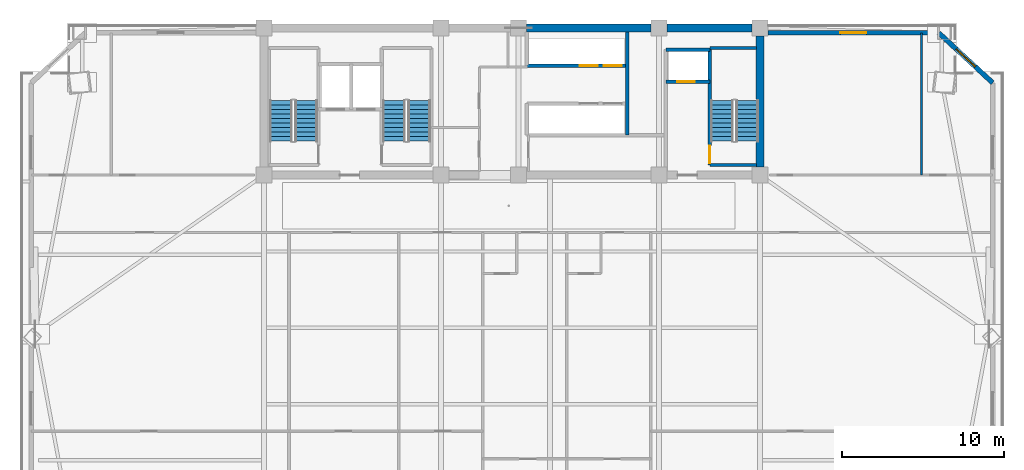
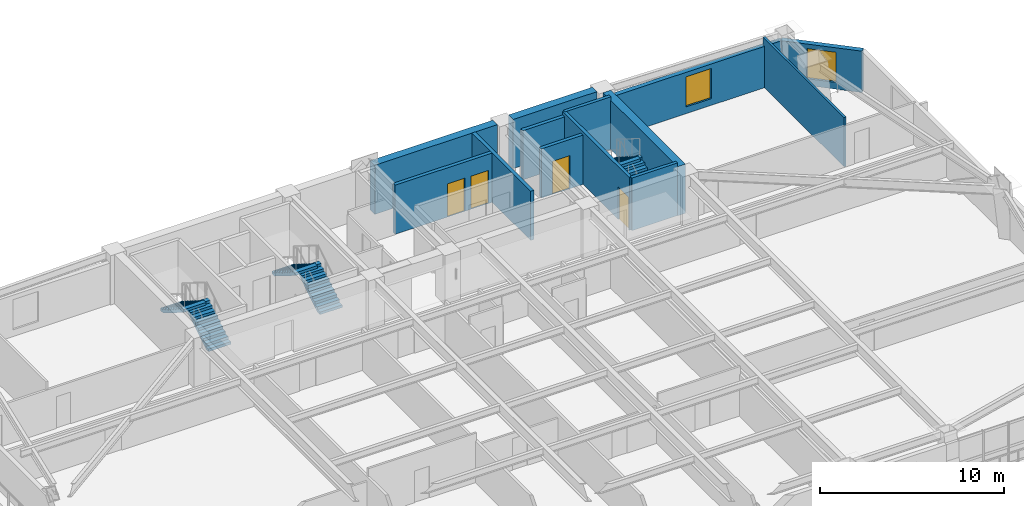
# One storey, part 10 of 15: 13 walls, 6 stair flights, 4 doors, 2 windows, 6 openings, 3 elements without a shape of their own.
"""IFC4 building model written with IfcOpenShell, lengths in metres."""

from ifc_helpers import new_model, si_unit, direction, frame, frame_2d, origin, place, context, subcontext, project, spatial, polyline, rectangle, outline, extrude, source, transform, mapped, material, layer, layer_set, type_object, element, fill, aggregate, save


model = new_model("IFC4")

# Units and contexts
model_context = context("Model", 3, precision=1e-05, world=origin(), true_north=direction((0.0, 1.0)))
body_context = subcontext(model_context, "Body", "Model", "MODEL_VIEW")
ifc_project = project(units=[si_unit("LENGTHUNIT", "METRE"), si_unit("AREAUNIT", "SQUARE_METRE"), si_unit("VOLUMEUNIT", "CUBIC_METRE"), si_unit("PLANEANGLEUNIT", "RADIAN"), si_unit("MASSUNIT", "GRAM", prefix="KILO")], contexts=[model_context])

# Site, building, storey
site_placement = place(None, origin())
site = spatial("IfcSite", under=ifc_project, at=site_placement, CompositionType="ELEMENT")
building_placement = place(site_placement, origin())
building = spatial("IfcBuilding", under=site, at=building_placement, Name="Giltprow Tower", CompositionType="ELEMENT")
storey_placement = place(building_placement, frame((0.0, 0.0, 156.199951171875)))
storey = spatial("IfcBuildingStorey", under=building, at=storey_placement, Name="L38", CompositionType="ELEMENT", Elevation=156.199951171875)

# Wall, opening, window
ifc_material_1 = material(Name="Precast concrete C40", Category="concrete")
ifc_layer_1 = layer(ifc_material_1, 0.300048828125, Name="Precast concrete C40")
ifc_layer_set_1 = layer_set([ifc_layer_1], Name="Precast concrete C40")
wall_type_1 = type_object("IfcWallType", Name="EW-NOTCH-CHAMFER-300", PredefinedType="SOLIDWALL", material=ifc_layer_set_1)
wall_1_placement = place(storey_placement, frame((64.950927734375, 43.160888671875, 0.0), z_axis=(0.0, 0.0, 1.0), x_axis=(-0.734027196995, 0.679120073383, 0.0)))
wall_1 = element("IfcWall", 1, at=wall_1_placement, inside=storey, type_object=wall_type_1, Name="L38 Corner Notch Wall NE", PredefinedType="SOLIDWALL", context=body_context, shape_type="SweptSolid", body=[
    extrude(rectangle(XDim=4.548583984375, YDim=0.300048828125, at=frame_2d((2.2744140625, 0.0))), origin(), (0.0, 0.0, 1.0), 2.75),
])
opening_1_placement = place(wall_1_placement, frame((1.47412109375, 0.0, 0.449951171875)))
opening_1 = element("IfcOpeningElement", 2, at=opening_1_placement, cuts=wall_1, Name="Opening WN17", PredefinedType="OPENING", context=body_context, shape_type="SweptSolid", body=[
    extrude(rectangle(XDim=1.60009765625, YDim=2.0, at=frame_2d((0.800048828125, 1.0))), frame((0.0, 0.159912109375, 0.0), z_axis=(0.0, -1.0, 0.0), x_axis=(1.0, 0.0, 0.0)), (0.0, 0.0, 1.0), 0.320068359375),
])
ifc_material_2 = material(Name="Insulated glass", Category="glass")
window_type = type_object("IfcWindowType", Name="WN-COR-1600x2000", PartitioningType="SINGLE_PANEL", PredefinedType="WINDOW", material=ifc_material_2)
shared_shape_1 = source(origin(), body_context, "Body", "SweptSolid", [
    extrude(rectangle(XDim=1.60009765625, YDim=2.0, at=frame_2d((0.800048828125, 1.0))), frame((0.0, 0.030029296875, 0.0), z_axis=(0.0, -1.0, 0.0), x_axis=(1.0, 0.0, 0.0)), (0.0, 0.0, 1.0), 0.06005859375),
])
window_1_placement = place(opening_1_placement, origin())
window_1 = element("IfcWindow", 3, at=window_1_placement, inside=storey, type_object=window_type, Name="L38 Corner Notch Window NE", OverallHeight=2.0, OverallWidth=1.60009765625, PartitioningType="SINGLE_PANEL", PredefinedType="WINDOW", context=body_context, shape_type="MappedRepresentation", body=[
    mapped(shared_shape_1, transform((0.0, 0.0, 0.0), x_axis=(1.0, 0.0, 0.0), y_axis=(0.0, 1.0, 0.0), z_axis=(0.0, 0.0, 1.0), scale=1.0)),
])
fill(opening_1, window_1)

ifc_layer_2 = layer(ifc_material_1, 0.280029296875, Name="Precast concrete C40")
ifc_layer_set_2 = layer_set([ifc_layer_2], Name="Precast concrete C40")
wall_type_2 = type_object("IfcWallType", Name="EW-TOW-BRONZE-280", PredefinedType="SOLIDWALL", material=ifc_layer_set_2)
wall_2_placement = place(storey_placement, frame((51.050048828125, 46.25, 0.0), z_axis=(0.0, 0.0, 1.0), x_axis=(1.0, 0.0, 0.0)))
wall_2 = element("IfcWall", 4, at=wall_2_placement, inside=storey, type_object=wall_type_2, Name="L38 North-East Wing Wall", PredefinedType="SOLIDWALL", context=body_context, shape_type="SweptSolid", body=[
    extrude(rectangle(XDim=10.56201171875, YDim=0.280029296875, at=frame_2d((5.281005859375, 0.0))), origin(), (0.0, 0.0, 1.0), 2.75),
])
opening_2_placement = place(wall_2_placement, frame((4.48095703125, 0.0, 0.449951171875)))
opening_2 = element("IfcOpeningElement", 5, at=opening_2_placement, cuts=wall_2, Name="Opening WN17", PredefinedType="OPENING", context=body_context, shape_type="SweptSolid", body=[
    extrude(rectangle(XDim=1.60009765625, YDim=2.0, at=frame_2d((0.800048828125, 1.0))), frame((0.0, 0.14990234375, 0.0), z_axis=(0.0, -1.0, 0.0), x_axis=(1.0, 0.0, 0.0)), (0.0, 0.0, 1.0), 0.300048828125),
])
window_2_placement = place(opening_2_placement, origin())
window_2 = element("IfcWindow", 6, at=window_2_placement, inside=storey, type_object=window_type, Name="L38 North-East Window", OverallHeight=2.0, OverallWidth=1.60009765625, PartitioningType="SINGLE_PANEL", PredefinedType="WINDOW", context=body_context, shape_type="MappedRepresentation", body=[
    mapped(shared_shape_1, transform((0.0, 0.0, 0.0), x_axis=(1.0, 0.0, 0.0), y_axis=(0.0, 1.0, 0.0), z_axis=(0.0, 0.0, 1.0), scale=1.0)),
])
fill(opening_2, window_2)

# Wall, opening, door
ifc_material_3 = material(Name="Concrete C40", Category="concrete")
ifc_layer_3 = layer(ifc_material_3, 0.219970703125, Name="Concrete C40")
ifc_layer_set_3 = layer_set([ifc_layer_3], Name="Concrete C40")
wall_type_3 = type_object("IfcWallType", Name="IW-SHAFT-220", PredefinedType="SOLIDWALL", material=ifc_layer_set_3)
wall_3_placement = place(storey_placement, frame((44.719970703125, 43.219970703125, 0.0), z_axis=(0.0, 0.0, 1.0), x_axis=(1.0, 0.0, 0.0)))
wall_3 = element("IfcWall", 7, at=wall_3_placement, inside=storey, type_object=wall_type_3, Name="L38 FFL2 Front Shaft Wall", PredefinedType="SOLIDWALL", context=body_context, shape_type="SweptSolid", body=[
    extrude(rectangle(XDim=2.719970703125, YDim=0.219970703125, at=frame_2d((1.35986328125, 0.0))), origin(), (0.0, 0.0, 1.0), 3.27001953125),
])
opening_3_placement = place(wall_3_placement, frame((0.699951171875, 0.0, 0.0)))
opening_3 = element("IfcOpeningElement", 8, at=opening_3_placement, cuts=wall_3, Name="Opening LD-11", PredefinedType="OPENING", context=body_context, shape_type="SweptSolid", body=[
    extrude(rectangle(XDim=1.10009765625, YDim=2.199951171875, at=frame_2d((0.550048828125, 1.10009765625))), frame((0.0, 0.119873046875, 0.0), z_axis=(0.0, -1.0, 0.0), x_axis=(1.0, 0.0, 0.0)), (0.0, 0.0, 1.0), 0.239990234375),
])
ifc_material_4 = material(Name="Stainless steel", Category="steel")
door_type_1 = type_object("IfcDoorType", Name="DR-LIFT-LD1100", OperationType="SLIDING_TO_LEFT", PredefinedType="DOOR", material=ifc_material_4)
shared_shape_2 = source(origin(), body_context, "Body", "SweptSolid", [
    extrude(rectangle(XDim=1.10009765625, YDim=2.199951171875, at=frame_2d((0.550048828125, 1.10009765625))), frame((0.0, 0.02490234375, 0.0), z_axis=(0.0, -1.0, 0.0), x_axis=(1.0, 0.0, 0.0)), (0.0, 0.0, 1.0), 0.050048828125),
])
door_1_placement = place(opening_3_placement, origin())
door_1 = element("IfcDoor", 9, at=door_1_placement, inside=storey, type_object=door_type_1, Name="L38 FFL2 Landing Door", OperationType="SLIDING_TO_LEFT", OverallHeight=2.199951171875, OverallWidth=1.10009765625, PredefinedType="DOOR", context=body_context, shape_type="MappedRepresentation", body=[
    mapped(shared_shape_2, transform((0.0, 0.0, 0.0), x_axis=(1.0, 0.0, 0.0), y_axis=(0.0, 1.0, 0.0), z_axis=(0.0, 0.0, 1.0), scale=1.0)),
])
fill(opening_3, door_1)

# Wall
wall_4_placement = place(storey_placement, frame((44.719970703125, 45.219970703125, 0.0), z_axis=(0.0, 0.0, 1.0), x_axis=(1.0, 0.0, 0.0)))
element("IfcWall", 10, at=wall_4_placement, inside=storey, type_object=wall_type_3, Name="L38 FFL2 Back Shaft Wall", PredefinedType="SOLIDWALL", context=body_context, shape_type="SweptSolid", body=[
    extrude(rectangle(XDim=2.719970703125, YDim=0.219970703125, at=frame_2d((1.35986328125, 0.0))), origin(), (0.0, 0.0, 1.0), 3.27001953125),
])

# Wall, openings, doors
wall_5_placement = place(storey_placement, frame((36.1201171875, 44.219970703125, 0.0), z_axis=(0.0, 0.0, 1.0), x_axis=(1.0, 0.0, 0.0)))
wall_5 = element("IfcWall", 11, at=wall_5_placement, inside=storey, type_object=wall_type_3, Name="L38 Mid-Rise Lift Shaft Front Wall N", PredefinedType="SOLIDWALL", context=body_context, shape_type="SweptSolid", body=[
    extrude(rectangle(XDim=6.199951171875, YDim=0.219970703125, at=frame_2d((3.10009765625, 0.0))), origin(), (0.0, 0.0, 1.0), 3.27001953125),
])
opening_4_placement = place(wall_5_placement, frame((3.280029296875, 0.0, 0.0)))
opening_4 = element("IfcOpeningElement", 12, at=opening_4_placement, cuts=wall_5, Name="Opening LD-11", PredefinedType="OPENING", context=body_context, shape_type="SweptSolid", body=[
    extrude(rectangle(XDim=1.10009765625, YDim=2.199951171875, at=frame_2d((0.550048828125, 1.10009765625))), frame((0.0, 0.119873046875, 0.0), z_axis=(0.0, -1.0, 0.0), x_axis=(1.0, 0.0, 0.0)), (0.0, 0.0, 1.0), 0.239990234375),
])
opening_5_placement = place(wall_5_placement, frame((4.77001953125, 0.0, 0.0)))
opening_5 = element("IfcOpeningElement", 13, at=opening_5_placement, cuts=wall_5, Name="Opening LD-11", PredefinedType="OPENING", context=body_context, shape_type="SweptSolid", body=[
    extrude(rectangle(XDim=1.10009765625, YDim=2.199951171875, at=frame_2d((0.550048828125, 1.10009765625))), frame((0.0, 0.119873046875, 0.0), z_axis=(0.0, -1.0, 0.0), x_axis=(1.0, 0.0, 0.0)), (0.0, 0.0, 1.0), 0.239990234375),
])
door_2_placement = place(opening_4_placement, origin())
door_2 = element("IfcDoor", 14, at=door_2_placement, inside=storey, type_object=door_type_1, Name="L38 PL-M1 Landing Door", OperationType="SLIDING_TO_LEFT", OverallHeight=2.199951171875, OverallWidth=1.10009765625, PredefinedType="DOOR", context=body_context, shape_type="MappedRepresentation", body=[
    mapped(shared_shape_2, transform((0.0, 0.0, 0.0), x_axis=(1.0, 0.0, 0.0), y_axis=(0.0, 1.0, 0.0), z_axis=(0.0, 0.0, 1.0), scale=1.0)),
])
fill(opening_4, door_2)
door_3_placement = place(opening_5_placement, origin())
door_3 = element("IfcDoor", 15, at=door_3_placement, inside=storey, type_object=door_type_1, Name="L38 PL-M2 Landing Door", OperationType="SLIDING_TO_LEFT", OverallHeight=2.199951171875, OverallWidth=1.10009765625, PredefinedType="DOOR", context=body_context, shape_type="MappedRepresentation", body=[
    mapped(shared_shape_2, transform((0.0, 0.0, 0.0), x_axis=(1.0, 0.0, 0.0), y_axis=(0.0, 1.0, 0.0), z_axis=(0.0, 0.0, 1.0), scale=1.0)),
])
fill(opening_5, door_3)

# Wall
wall_6_placement = place(storey_placement, frame((42.320068359375, 39.919921875, 0.0), z_axis=(0.0, 0.0, 1.0), x_axis=(0.0, 1.0, 0.0)))
element("IfcWall", 16, at=wall_6_placement, inside=storey, type_object=wall_type_3, Name="L38 Mid-Rise Lift Bank East Closure", PredefinedType="SOLIDWALL", context=body_context, shape_type="SweptSolid", body=[
    extrude(rectangle(XDim=6.400146484375, YDim=0.219970703125, at=frame_2d((3.2001953125, 0.0))), origin(), (0.0, 0.0, 1.0), 3.27001953125),
])

# Wall, opening, door
ifc_layer_4 = layer(ifc_material_3, 0.199951171875, Name="Concrete C40")
ifc_layer_set_4 = layer_set([ifc_layer_4], Name="Concrete C40")
wall_type_4 = type_object("IfcWallType", Name="IW-STAIR-200", PredefinedType="SOLIDWALL", material=ifc_layer_set_4)
wall_7_placement = place(storey_placement, frame((47.43994140625, 38.070068359375, 0.0), z_axis=(0.0, 0.0, 1.0), x_axis=(0.0, 1.0, 0.0)))
wall_7 = element("IfcWall", 17, at=wall_7_placement, inside=storey, type_object=wall_type_4, Name="L38 Stair ST-3 West Bearing Wall", PredefinedType="SOLIDWALL", context=body_context, shape_type="SweptSolid", body=[
    extrude(rectangle(XDim=7.25, YDim=0.199951171875, at=frame_2d((3.625, 0.0))), origin(), (0.0, 0.0, 1.0), 3.5),
])
opening_6_placement = place(wall_7_placement, frame((0.110107421875, 0.0, 0.0)))
opening_6 = element("IfcOpeningElement", 18, at=opening_6_placement, cuts=wall_7, Name="Opening ID33", PredefinedType="OPENING", context=body_context, shape_type="SweptSolid", body=[
    extrude(rectangle(XDim=1.10009765625, YDim=2.14990234375, at=frame_2d((0.550048828125, 1.074951171875))), frame((0.0, 0.10986328125, 0.0), z_axis=(0.0, -1.0, 0.0), x_axis=(1.0, 0.0, 0.0)), (0.0, 0.0, 1.0), 0.219970703125),
])
ifc_material_5 = material(Name="Steel fire leaf", Category="steel")
door_type_2 = type_object("IfcDoorType", Name="DR-STAIR-1100", OperationType="SINGLE_SWING_LEFT", PredefinedType="DOOR", material=ifc_material_5)
shared_shape_3 = source(origin(), body_context, "Body", "SweptSolid", [
    extrude(rectangle(XDim=1.10009765625, YDim=2.14990234375, at=frame_2d((0.550048828125, 1.074951171875))), frame((0.0, 0.02490234375, 0.0), z_axis=(0.0, -1.0, 0.0), x_axis=(1.0, 0.0, 0.0)), (0.0, 0.0, 1.0), 0.050048828125),
])
door_4_placement = place(opening_6_placement, origin())
door_4 = element("IfcDoor", 19, at=door_4_placement, inside=storey, type_object=door_type_2, Name="L38 Stair ST-3 Fire Door", OperationType="SINGLE_SWING_RIGHT", OverallHeight=2.14990234375, OverallWidth=1.10009765625, PredefinedType="DOOR", context=body_context, shape_type="MappedRepresentation", body=[
    mapped(shared_shape_3, transform((0.0, 0.0, 0.0), x_axis=(1.0, 0.0, 0.0), y_axis=(0.0, 1.0, 0.0), z_axis=(0.0, 0.0, 1.0), scale=1.0)),
])
fill(opening_6, door_4)

# Walls
for number, where, z_axis, x_axis, name in (
    (20, (47.43994140625, 45.320068359375, 0.0), (0.0, 0.0, 1.0), (1.0, 0.0, 0.0), "L38 Stair ST-3 North Bearing Wall"),
    (21, (47.43994140625, 38.070068359375, 0.0), (0.0, 0.0, 1.0), (1.0, 0.0, 0.0), "L38 Stair ST-3 South Bearing Wall"),
):
    element("IfcWall", number, at=place(storey_placement, frame(where, z_axis=z_axis, x_axis=x_axis)), inside=storey, type_object=wall_type_4, Name=name, PredefinedType="SOLIDWALL", context=body_context, shape_type="SweptSolid", body=[
        extrude(rectangle(XDim=2.880126953125, YDim=0.199951171875, at=frame_2d((1.43994140625, 0.0))), origin(), (0.0, 0.0, 1.0), 3.5),
    ])
ifc_material_6 = material(Name="Concrete C30", Category="concrete")
ifc_layer_5 = layer(ifc_material_6, 0.1298828125, Name="Concrete C30")
ifc_layer_set_5 = layer_set([ifc_layer_5], Name="Concrete C30")
wall_type_5 = type_object("IfcWallType", Name="IW-WET-130", PredefinedType="PARTITIONING", material=ifc_layer_set_5)
wall_8_placement = place(storey_placement, frame((60.535888671875, 37.449951171875, 0.0), z_axis=(0.0, 0.0, 1.0), x_axis=(0.0, 1.0, 0.0)))
element("IfcWall", 22, at=wall_8_placement, inside=storey, type_object=wall_type_5, Name="L38 NE Wing Divider", PredefinedType="PARTITIONING", context=body_context, shape_type="SweptSolid", body=[
    extrude(rectangle(XDim=8.800048828125, YDim=0.1298828125, at=frame_2d((4.39990234375, 0.0))), origin(), (0.0, 0.0, 1.0), 3.27001953125),
])
ifc_material_7 = material(Name="Concrete C50", Category="concrete")
ifc_layer_6 = layer(ifc_material_7, 0.5, Name="Concrete C50")
ifc_layer_set_6 = layer_set([ifc_layer_6], Name="Concrete C50")
wall_type_6 = type_object("IfcWallType", Name="SW-EXT-500-C50", PredefinedType="SHEAR", material=ifc_layer_set_6)
wall_9_placement = place(storey_placement, frame((36.10009765625, 46.550048828125, 0.0), z_axis=(0.0, 0.0, 1.0), x_axis=(1.0, 0.0, 0.0)))
element("IfcWall", 23, at=wall_9_placement, inside=storey, type_object=wall_type_6, Name="L38 North Rear Core Shear Wall 3", PredefinedType="SHEAR", context=body_context, shape_type="SweptSolid", body=[
    extrude(rectangle(XDim=7.699951171875, YDim=0.5, at=frame_2d((3.85009765625, 0.0))), origin(), (0.0, 0.0, 1.0), 3.27001953125),
])
wall_10_placement = place(storey_placement, frame((44.800048828125, 46.550048828125, 0.0), z_axis=(0.0, 0.0, 1.0), x_axis=(1.0, 0.0, 0.0)))
element("IfcWall", 24, at=wall_10_placement, inside=storey, type_object=wall_type_6, Name="L38 North Rear Core Shear Wall 4", PredefinedType="SHEAR", context=body_context, shape_type="SweptSolid", body=[
    extrude(rectangle(XDim=5.25, YDim=0.5, at=frame_2d((2.625, 0.0))), origin(), (0.0, 0.0, 1.0), 3.27001953125),
])
ifc_layer_7 = layer(ifc_material_7, 0.5, Name="Concrete C50")
ifc_layer_set_7 = layer_set([ifc_layer_7], Name="Concrete C50")
wall_type_7 = type_object("IfcWallType", Name="SW-INT-500-C50", PredefinedType="SHEAR", material=ifc_layer_set_7)
wall_11_placement = place(storey_placement, frame((50.550048828125, 37.949951171875, 0.0), z_axis=(0.0, 0.0, 1.0), x_axis=(0.0, 1.0, 0.0)))
element("IfcWall", 25, at=wall_11_placement, inside=storey, type_object=wall_type_7, Name="L38 E Rear Core Shear Wall", PredefinedType="SHEAR", context=body_context, shape_type="SweptSolid", body=[
    extrude(rectangle(XDim=8.10009765625, YDim=0.5, at=frame_2d((4.050048828125, 0.0))), origin(), (0.0, 0.0, 1.0), 3.27001953125),
])

# Stair, stair flights
stair_type_1 = type_object("IfcStairType", Name="STR-ST-1", PredefinedType="HALF_TURN_STAIR", material=ifc_material_3)
stair_1_placement = place(storey_placement, origin())
stair_1 = element("IfcStair", 26, at=stair_1_placement, inside=storey, type_object=stair_type_1, Name="L38 Core Exit Stair ST-1", PredefinedType="HALF_TURN_STAIR")
stair_flight_type_1 = type_object("IfcStairFlightType", Name="SFL-ST-1", PredefinedType="STRAIGHT", material=ifc_material_3)
stair_flight_1_placement = place(storey_placement, frame((22.4599609375, 39.550048828125, 0.0), z_axis=(0.0, 0.0, 1.0), x_axis=(0.0, 1.0, 0.0)))
stair_flight_1 = element("IfcStairFlight", 27, at=stair_flight_1_placement, type_object=stair_flight_type_1, Name="ST-1 flight 1", NumberOfRisers=10, NumberOfTreads=9, PredefinedType="STRAIGHT", RiserHeight=0.175, TreadLength=0.28, context=body_context, shape_type="SweptSolid", body=[
    extrude(outline(polyline([(0.0, 0.0), (0.0, 0.175048828125), (0.280029296875, 0.175048828125), (0.280029296875, 0.35009765625), (0.56005859375, 0.35009765625), (0.56005859375, 0.52490234375), (0.840087890625, 0.52490234375), (0.840087890625, 0.699951171875), (1.1201171875, 0.699951171875), (1.1201171875, 0.875), (1.39990234375, 0.875), (1.39990234375, 1.050048828125), (1.679931640625, 1.050048828125), (1.679931640625, 1.22509765625), (1.9599609375, 1.22509765625), (1.9599609375, 1.39990234375), (2.239990234375, 1.39990234375), (2.239990234375, 1.574951171875), (2.52001953125, 1.574951171875), (2.52001953125, 1.75), (2.52001953125, 1.398193359375), (0.28271484375, 0.0), (0.0, 0.0)])), frame((0.0, 0.699951171875, 0.0), z_axis=(0.0, -1.0, 0.0), x_axis=(1.0, 0.0, 0.0)), (0.0, 0.0, 1.0), 1.39990234375),
])
stair_flight_2_placement = place(storey_placement, frame((20.89990234375, 42.070068359375, 1.75), z_axis=(0.0, 0.0, 1.0), x_axis=(0.0, -1.0, 0.0)))
stair_flight_2 = element("IfcStairFlight", 28, at=stair_flight_2_placement, type_object=stair_flight_type_1, Name="ST-1 flight 2", NumberOfRisers=10, NumberOfTreads=9, PredefinedType="STRAIGHT", RiserHeight=0.175, TreadLength=0.28, context=body_context, shape_type="SweptSolid", body=[
    extrude(outline(polyline([(0.0, 0.0), (0.0, 0.175048828125), (0.280029296875, 0.175048828125), (0.280029296875, 0.35009765625), (0.56005859375, 0.35009765625), (0.56005859375, 0.52490234375), (0.840087890625, 0.52490234375), (0.840087890625, 0.699951171875), (1.1201171875, 0.699951171875), (1.1201171875, 0.875), (1.39990234375, 0.875), (1.39990234375, 1.050048828125), (1.679931640625, 1.050048828125), (1.679931640625, 1.22509765625), (1.9599609375, 1.22509765625), (1.9599609375, 1.39990234375), (2.239990234375, 1.39990234375), (2.239990234375, 1.574951171875), (2.52001953125, 1.574951171875), (2.52001953125, 1.75), (2.52001953125, 1.398193359375), (0.28271484375, 0.0), (0.0, 0.0)])), frame((0.0, 0.699951171875, 0.0), z_axis=(0.0, -1.0, 0.0), x_axis=(1.0, 0.0, 0.0)), (0.0, 0.0, 1.0), 1.39990234375),
])
aggregate(stair_1, [stair_flight_1, stair_flight_2])

stair_type_2 = type_object("IfcStairType", Name="STR-ST-2", PredefinedType="HALF_TURN_STAIR", material=ifc_material_3)
stair_2_placement = place(storey_placement, origin())
stair_2 = element("IfcStair", 29, at=stair_2_placement, inside=storey, type_object=stair_type_2, Name="L38 Core Exit Stair ST-2", PredefinedType="HALF_TURN_STAIR")
stair_flight_type_2 = type_object("IfcStairFlightType", Name="SFL-ST-2", PredefinedType="STRAIGHT", material=ifc_material_3)
stair_flight_3_placement = place(storey_placement, frame((29.4599609375, 39.550048828125, 0.0), z_axis=(0.0, 0.0, 1.0), x_axis=(0.0, 1.0, 0.0)))
stair_flight_3 = element("IfcStairFlight", 30, at=stair_flight_3_placement, type_object=stair_flight_type_2, Name="ST-2 flight 1", NumberOfRisers=10, NumberOfTreads=9, PredefinedType="STRAIGHT", RiserHeight=0.175, TreadLength=0.28, context=body_context, shape_type="SweptSolid", body=[
    extrude(outline(polyline([(0.0, 0.0), (0.0, 0.175048828125), (0.280029296875, 0.175048828125), (0.280029296875, 0.35009765625), (0.56005859375, 0.35009765625), (0.56005859375, 0.52490234375), (0.840087890625, 0.52490234375), (0.840087890625, 0.699951171875), (1.1201171875, 0.699951171875), (1.1201171875, 0.875), (1.39990234375, 0.875), (1.39990234375, 1.050048828125), (1.679931640625, 1.050048828125), (1.679931640625, 1.22509765625), (1.9599609375, 1.22509765625), (1.9599609375, 1.39990234375), (2.239990234375, 1.39990234375), (2.239990234375, 1.574951171875), (2.52001953125, 1.574951171875), (2.52001953125, 1.75), (2.52001953125, 1.398193359375), (0.28271484375, 0.0), (0.0, 0.0)])), frame((0.0, 0.699951171875, 0.0), z_axis=(0.0, -1.0, 0.0), x_axis=(1.0, 0.0, 0.0)), (0.0, 0.0, 1.0), 1.39990234375),
])
stair_flight_4_placement = place(storey_placement, frame((27.89990234375, 42.070068359375, 1.75), z_axis=(0.0, 0.0, 1.0), x_axis=(0.0, -1.0, 0.0)))
stair_flight_4 = element("IfcStairFlight", 31, at=stair_flight_4_placement, type_object=stair_flight_type_2, Name="ST-2 flight 2", NumberOfRisers=10, NumberOfTreads=9, PredefinedType="STRAIGHT", RiserHeight=0.175, TreadLength=0.28, context=body_context, shape_type="SweptSolid", body=[
    extrude(outline(polyline([(0.0, 0.0), (0.0, 0.175048828125), (0.280029296875, 0.175048828125), (0.280029296875, 0.35009765625), (0.56005859375, 0.35009765625), (0.56005859375, 0.52490234375), (0.840087890625, 0.52490234375), (0.840087890625, 0.699951171875), (1.1201171875, 0.699951171875), (1.1201171875, 0.875), (1.39990234375, 0.875), (1.39990234375, 1.050048828125), (1.679931640625, 1.050048828125), (1.679931640625, 1.22509765625), (1.9599609375, 1.22509765625), (1.9599609375, 1.39990234375), (2.239990234375, 1.39990234375), (2.239990234375, 1.574951171875), (2.52001953125, 1.574951171875), (2.52001953125, 1.75), (2.52001953125, 1.398193359375), (0.28271484375, 0.0), (0.0, 0.0)])), frame((0.0, 0.699951171875, 0.0), z_axis=(0.0, -1.0, 0.0), x_axis=(1.0, 0.0, 0.0)), (0.0, 0.0, 1.0), 1.39990234375),
])
aggregate(stair_2, [stair_flight_3, stair_flight_4])

stair_type_3 = type_object("IfcStairType", Name="STR-ST-3", PredefinedType="HALF_TURN_STAIR", material=ifc_material_3)
stair_3_placement = place(storey_placement, origin())
stair_3 = element("IfcStair", 32, at=stair_3_placement, inside=storey, type_object=stair_type_3, Name="L38 Core Exit Stair ST-3", PredefinedType="HALF_TURN_STAIR")
stair_flight_type_3 = type_object("IfcStairFlightType", Name="SFL-ST-3", PredefinedType="STRAIGHT", material=ifc_material_3)
stair_flight_5_placement = place(storey_placement, frame((49.760009765625, 39.550048828125, 0.0), z_axis=(0.0, 0.0, 1.0), x_axis=(0.0, 1.0, 0.0)))
stair_flight_5 = element("IfcStairFlight", 33, at=stair_flight_5_placement, type_object=stair_flight_type_3, Name="ST-3 flight 1", NumberOfRisers=10, NumberOfTreads=9, PredefinedType="STRAIGHT", RiserHeight=0.175, TreadLength=0.28, context=body_context, shape_type="SweptSolid", body=[
    extrude(outline(polyline([(0.0, 0.0), (0.0, 0.175048828125), (0.280029296875, 0.175048828125), (0.280029296875, 0.35009765625), (0.56005859375, 0.35009765625), (0.56005859375, 0.52490234375), (0.840087890625, 0.52490234375), (0.840087890625, 0.699951171875), (1.1201171875, 0.699951171875), (1.1201171875, 0.875), (1.39990234375, 0.875), (1.39990234375, 1.050048828125), (1.679931640625, 1.050048828125), (1.679931640625, 1.22509765625), (1.9599609375, 1.22509765625), (1.9599609375, 1.39990234375), (2.239990234375, 1.39990234375), (2.239990234375, 1.574951171875), (2.52001953125, 1.574951171875), (2.52001953125, 1.75), (2.52001953125, 1.398193359375), (0.28271484375, 0.0), (0.0, 0.0)])), frame((0.0, 0.699951171875, 0.0), z_axis=(0.0, -1.0, 0.0), x_axis=(1.0, 0.0, 0.0)), (0.0, 0.0, 1.0), 1.39990234375),
])
stair_flight_6_placement = place(storey_placement, frame((48.199951171875, 42.070068359375, 1.75), z_axis=(0.0, 0.0, 1.0), x_axis=(0.0, -1.0, 0.0)))
stair_flight_6 = element("IfcStairFlight", 34, at=stair_flight_6_placement, type_object=stair_flight_type_3, Name="ST-3 flight 2", NumberOfRisers=10, NumberOfTreads=9, PredefinedType="STRAIGHT", RiserHeight=0.175, TreadLength=0.28, context=body_context, shape_type="SweptSolid", body=[
    extrude(outline(polyline([(0.0, 0.0), (0.0, 0.175048828125), (0.280029296875, 0.175048828125), (0.280029296875, 0.35009765625), (0.56005859375, 0.35009765625), (0.56005859375, 0.52490234375), (0.840087890625, 0.52490234375), (0.840087890625, 0.699951171875), (1.1201171875, 0.699951171875), (1.1201171875, 0.875), (1.39990234375, 0.875), (1.39990234375, 1.050048828125), (1.679931640625, 1.050048828125), (1.679931640625, 1.22509765625), (1.9599609375, 1.22509765625), (1.9599609375, 1.39990234375), (2.239990234375, 1.39990234375), (2.239990234375, 1.574951171875), (2.52001953125, 1.574951171875), (2.52001953125, 1.75), (2.52001953125, 1.398193359375), (0.28271484375, 0.0), (0.0, 0.0)])), frame((0.0, 0.699951171875, 0.0), z_axis=(0.0, -1.0, 0.0), x_axis=(1.0, 0.0, 0.0)), (0.0, 0.0, 1.0), 1.39990234375),
])
aggregate(stair_3, [stair_flight_5, stair_flight_6])

save(model, "model.ifc")
